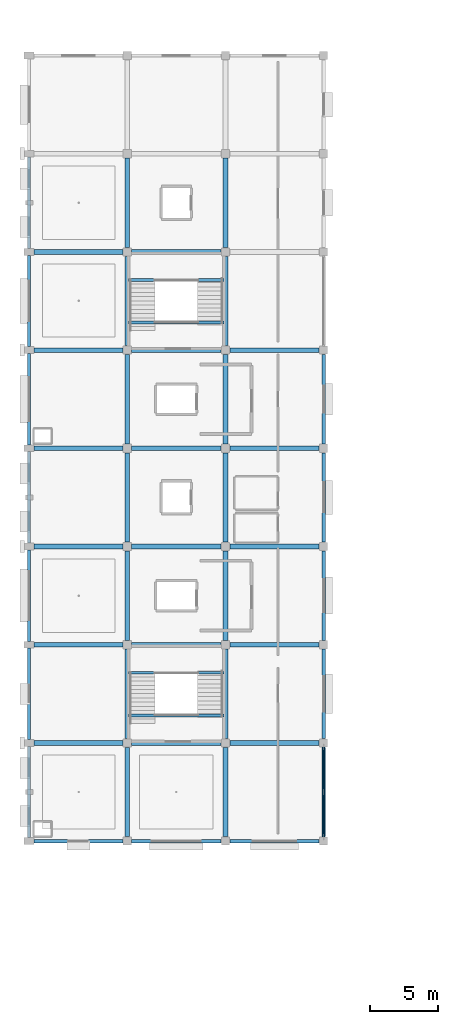
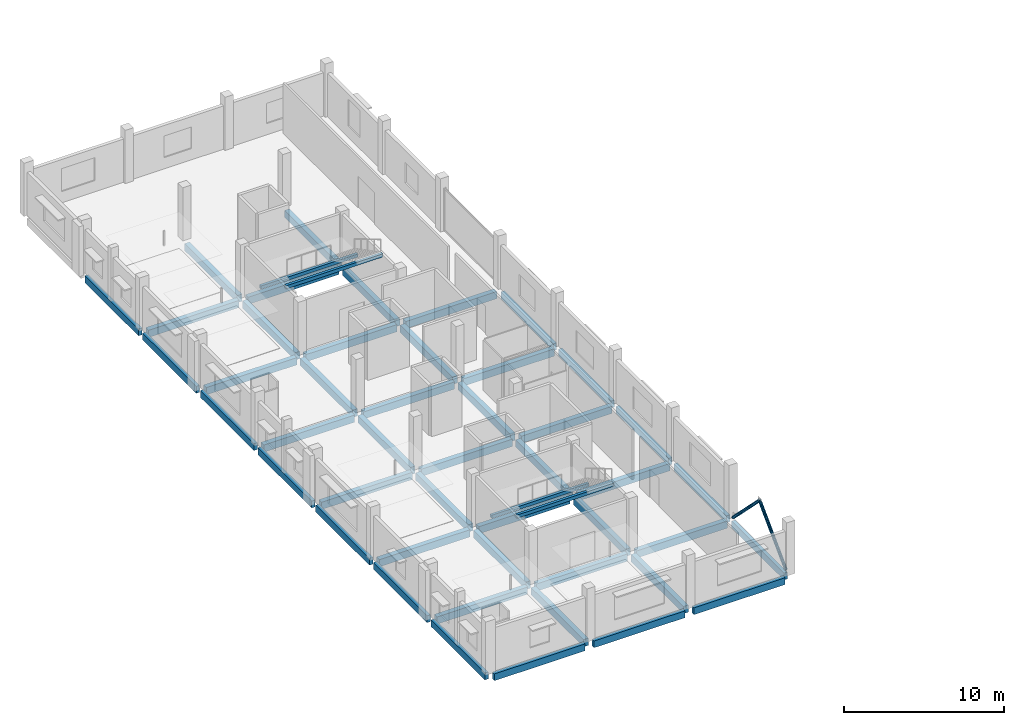
# One storey, part 3 of 26: 50 beams, 2 members.
"""IFC4 building model written with IfcOpenShell, lengths in metres."""

from ifc_helpers import new_model, si_unit, direction, frame, origin, origin_2d, place, context, subcontext, project, spatial, rectangle, hollow_circle, extrude, material, material_profile, profile_set, type_object, element, save


model = new_model("IFC4")

# Units and contexts
model_context = context("Model", 3, precision=1e-05, world=origin(), true_north=direction((0.0, 1.0)))
body_context = subcontext(model_context, "Body", "Model", "MODEL_VIEW")
ifc_project = project(units=[si_unit("LENGTHUNIT", "METRE"), si_unit("AREAUNIT", "SQUARE_METRE"), si_unit("VOLUMEUNIT", "CUBIC_METRE"), si_unit("PLANEANGLEUNIT", "RADIAN"), si_unit("MASSUNIT", "GRAM", prefix="KILO")], contexts=[model_context])

# Site, building, storey
site_placement = place(None, origin())
site = spatial("IfcSite", under=ifc_project, at=site_placement, CompositionType="ELEMENT")
building_placement = place(site_placement, origin())
building = spatial("IfcBuilding", under=site, at=building_placement, Name="Kangsadwip Square Police Headquarters", CompositionType="ELEMENT")
storey_placement = place(building_placement, frame((0.0, 0.0, 25.64990234375)))
storey = spatial("IfcBuildingStorey", under=building, at=storey_placement, Name="L06", CompositionType="ELEMENT", Elevation=25.64990234375)

# Beams
ifc_material_1 = material(Name="Concrete M35 (35 MPa)", Category="concrete")
ifc_material_profile_1 = material_profile(ifc_material_1, rectangle(XDim=0.35009765625, YDim=0.550048828125, at=origin_2d()), Name="RC BM 550X350")
ifc_profile_set_1 = profile_set([ifc_material_profile_1], Name="Concrete M35 (35 MPa)")
beam_type_1 = type_object("IfcBeamType", Name="RcBeam550x350", PredefinedType="BEAM", material=ifc_profile_set_1)
beam_1_placement = place(storey_placement, frame((0.35009765625, 43.199951171875, -0.494873046875), z_axis=(1.0, 0.0, 0.0), x_axis=(0.0, 1.0, 0.0)))
element("IfcBeam", 1, at=beam_1_placement, inside=storey, type_object=beam_type_1, Name="Beam BM-L06-X-00-06", PredefinedType="BEAM", context=body_context, shape_type="SweptSolid", body=[
    extrude(rectangle(XDim=0.35009765625, YDim=0.550048828125, at=origin_2d()), origin(), (0.0, 0.0, 1.0), 6.52490234375),
])
beam_2_placement = place(storey_placement, frame((7.52490234375, 43.199951171875, -0.494873046875), z_axis=(1.0, 0.0, 0.0), x_axis=(0.0, 1.0, 0.0)))
element("IfcBeam", 2, at=beam_2_placement, inside=storey, type_object=beam_type_1, Name="Beam BM-L06-X-01-06", PredefinedType="BEAM", context=body_context, shape_type="SweptSolid", body=[
    extrude(rectangle(XDim=0.35009765625, YDim=0.550048828125, at=origin_2d()), origin(), (0.0, 0.0, 1.0), 6.550048828125),
])
beam_3_placement = place(storey_placement, frame((14.72509765625, 43.199951171875, -0.494873046875), z_axis=(1.0, 0.0, 0.0), x_axis=(0.0, 1.0, 0.0)))
element("IfcBeam", 3, at=beam_3_placement, inside=storey, type_object=beam_type_1, Name="Beam BM-L06-X-02-06", PredefinedType="BEAM", context=body_context, shape_type="SweptSolid", body=[
    extrude(rectangle(XDim=0.35009765625, YDim=0.550048828125, at=origin_2d()), origin(), (0.0, 0.0, 1.0), 6.5498046875),
])
beam_4_placement = place(storey_placement, frame((0.35009765625, 50.39990234375, -0.494873046875), z_axis=(1.0, 0.0, 0.0), x_axis=(0.0, 1.0, 0.0)))
element("IfcBeam", 4, at=beam_4_placement, inside=storey, type_object=beam_type_1, Name="Beam BM-L06-X-00-07", PredefinedType="BEAM", context=body_context, shape_type="SweptSolid", body=[
    extrude(rectangle(XDim=0.35009765625, YDim=0.550048828125, at=origin_2d()), origin(), (0.0, 0.0, 1.0), 6.52490234375),
])
beam_5_placement = place(storey_placement, frame((7.52490234375, 50.39990234375, -0.494873046875), z_axis=(1.0, 0.0, 0.0), x_axis=(0.0, 1.0, 0.0)))
element("IfcBeam", 5, at=beam_5_placement, inside=storey, type_object=beam_type_1, Name="Beam BM-L06-X-01-07", PredefinedType="BEAM", context=body_context, shape_type="SweptSolid", body=[
    extrude(rectangle(XDim=0.35009765625, YDim=0.550048828125, at=origin_2d()), origin(), (0.0, 0.0, 1.0), 6.550048828125),
])
beam_6_placement = place(storey_placement, frame((14.72509765625, 50.39990234375, -0.494873046875), z_axis=(1.0, 0.0, 0.0), x_axis=(0.0, 1.0, 0.0)))
element("IfcBeam", 6, at=beam_6_placement, inside=storey, type_object=beam_type_1, Name="Beam BM-L06-X-02-07", PredefinedType="BEAM", context=body_context, shape_type="SweptSolid", body=[
    extrude(rectangle(XDim=0.35009765625, YDim=0.550048828125, at=origin_2d()), origin(), (0.0, 0.0, 1.0), 6.5498046875),
])
beam_7_placement = place(storey_placement, frame((0.35009765625, 57.60009765625, -0.494873046875), z_axis=(1.0, 0.0, 0.0), x_axis=(0.0, 1.0, 0.0)))
element("IfcBeam", 7, at=beam_7_placement, inside=storey, type_object=beam_type_1, Name="Beam BM-L06-X-00-08", PredefinedType="BEAM", context=body_context, shape_type="SweptSolid", body=[
    extrude(rectangle(XDim=0.35009765625, YDim=0.550048828125, at=origin_2d()), origin(), (0.0, 0.0, 1.0), 6.52490234375),
])
beam_8_placement = place(storey_placement, frame((7.52490234375, 57.60009765625, -0.494873046875), z_axis=(1.0, 0.0, 0.0), x_axis=(0.0, 1.0, 0.0)))
element("IfcBeam", 8, at=beam_8_placement, inside=storey, type_object=beam_type_1, Name="Beam BM-L06-X-01-08", PredefinedType="BEAM", context=body_context, shape_type="SweptSolid", body=[
    extrude(rectangle(XDim=0.35009765625, YDim=0.550048828125, at=origin_2d()), origin(), (0.0, 0.0, 1.0), 6.550048828125),
])
beam_9_placement = place(storey_placement, frame((14.72509765625, 57.60009765625, -0.494873046875), z_axis=(1.0, 0.0, 0.0), x_axis=(0.0, 1.0, 0.0)))
element("IfcBeam", 9, at=beam_9_placement, inside=storey, type_object=beam_type_1, Name="Beam BM-L06-X-02-08", PredefinedType="BEAM", context=body_context, shape_type="SweptSolid", body=[
    extrude(rectangle(XDim=0.35009765625, YDim=0.550048828125, at=origin_2d()), origin(), (0.0, 0.0, 1.0), 6.5498046875),
])
beam_10_placement = place(storey_placement, frame((0.35009765625, 64.800048828125, -0.494873046875), z_axis=(1.0, 0.0, 0.0), x_axis=(0.0, 1.0, 0.0)))
element("IfcBeam", 10, at=beam_10_placement, inside=storey, type_object=beam_type_1, Name="Beam BM-L06-X-00-09", PredefinedType="BEAM", context=body_context, shape_type="SweptSolid", body=[
    extrude(rectangle(XDim=0.35009765625, YDim=0.550048828125, at=origin_2d()), origin(), (0.0, 0.0, 1.0), 6.52490234375),
])
beam_11_placement = place(storey_placement, frame((7.52490234375, 64.800048828125, -0.494873046875), z_axis=(1.0, 0.0, 0.0), x_axis=(0.0, 1.0, 0.0)))
element("IfcBeam", 11, at=beam_11_placement, inside=storey, type_object=beam_type_1, Name="Beam BM-L06-X-01-09", PredefinedType="BEAM", context=body_context, shape_type="SweptSolid", body=[
    extrude(rectangle(XDim=0.35009765625, YDim=0.550048828125, at=origin_2d()), origin(), (0.0, 0.0, 1.0), 6.550048828125),
])
beam_12_placement = place(storey_placement, frame((14.72509765625, 64.800048828125, -0.494873046875), z_axis=(1.0, 0.0, 0.0), x_axis=(0.0, 1.0, 0.0)))
element("IfcBeam", 12, at=beam_12_placement, inside=storey, type_object=beam_type_1, Name="Beam BM-L06-X-02-09", PredefinedType="BEAM", context=body_context, shape_type="SweptSolid", body=[
    extrude(rectangle(XDim=0.35009765625, YDim=0.550048828125, at=origin_2d()), origin(), (0.0, 0.0, 1.0), 6.5498046875),
])
beam_13_placement = place(storey_placement, frame((0.35009765625, 72.0, -0.494873046875), z_axis=(1.0, 0.0, 0.0), x_axis=(0.0, 1.0, 0.0)))
element("IfcBeam", 13, at=beam_13_placement, inside=storey, type_object=beam_type_1, Name="Beam BM-L06-X-00-10", PredefinedType="BEAM", context=body_context, shape_type="SweptSolid", body=[
    extrude(rectangle(XDim=0.35009765625, YDim=0.550048828125, at=origin_2d()), origin(), (0.0, 0.0, 1.0), 6.52490234375),
])
beam_14_placement = place(storey_placement, frame((7.52490234375, 72.0, -0.494873046875), z_axis=(1.0, 0.0, 0.0), x_axis=(0.0, 1.0, 0.0)))
element("IfcBeam", 14, at=beam_14_placement, inside=storey, type_object=beam_type_1, Name="Beam BM-L06-X-01-10", PredefinedType="BEAM", context=body_context, shape_type="SweptSolid", body=[
    extrude(rectangle(XDim=0.35009765625, YDim=0.550048828125, at=origin_2d()), origin(), (0.0, 0.0, 1.0), 6.550048828125),
])
beam_15_placement = place(storey_placement, frame((14.72509765625, 72.0, -0.494873046875), z_axis=(1.0, 0.0, 0.0), x_axis=(0.0, 1.0, 0.0)))
element("IfcBeam", 15, at=beam_15_placement, inside=storey, type_object=beam_type_1, Name="Beam BM-L06-X-02-10", PredefinedType="BEAM", context=body_context, shape_type="SweptSolid", body=[
    extrude(rectangle(XDim=0.35009765625, YDim=0.550048828125, at=origin_2d()), origin(), (0.0, 0.0, 1.0), 6.5498046875),
])
beam_16_placement = place(storey_placement, frame((0.35009765625, 79.199951171875, -0.494873046875), z_axis=(1.0, 0.0, 0.0), x_axis=(0.0, 1.0, 0.0)))
element("IfcBeam", 16, at=beam_16_placement, inside=storey, type_object=beam_type_1, Name="Beam BM-L06-X-00-11", PredefinedType="BEAM", context=body_context, shape_type="SweptSolid", body=[
    extrude(rectangle(XDim=0.35009765625, YDim=0.550048828125, at=origin_2d()), origin(), (0.0, 0.0, 1.0), 6.52490234375),
])
for number, where, z_axis, x_axis, name in (
    (17, (7.52490234375, 79.199951171875, -0.494873046875), (1.0, 0.0, 0.0), (0.0, 1.0, 0.0), "Beam BM-L06-X-01-11"),
    (18, (7.199951171875, 36.324951171875, -0.494873046875), (0.0, 1.0, 0.0), (-1.0, 0.0, 0.0), "Beam BM-L06-Y-01-05"),
    (19, (7.199951171875, 43.52490234375, -0.494873046875), (0.0, 1.0, 0.0), (-1.0, 0.0, 0.0), "Beam BM-L06-Y-01-06"),
):
    element("IfcBeam", number, at=place(storey_placement, frame(where, z_axis=z_axis, x_axis=x_axis)), inside=storey, type_object=beam_type_1, Name=name, PredefinedType="BEAM", context=body_context, shape_type="SweptSolid", body=[
        extrude(rectangle(XDim=0.35009765625, YDim=0.550048828125, at=origin_2d()), origin(), (0.0, 0.0, 1.0), 6.550048828125),
    ])
beam_17_placement = place(storey_placement, frame((7.199951171875, 50.72509765625, -0.494873046875), z_axis=(0.0, 1.0, 0.0), x_axis=(-1.0, 0.0, 0.0)))
element("IfcBeam", 20, at=beam_17_placement, inside=storey, type_object=beam_type_1, Name="Beam BM-L06-Y-01-07", PredefinedType="BEAM", context=body_context, shape_type="SweptSolid", body=[
    extrude(rectangle(XDim=0.35009765625, YDim=0.550048828125, at=origin_2d()), origin(), (0.0, 0.0, 1.0), 6.5498046875),
])
for number, where, z_axis, x_axis, name in (
    (21, (7.199951171875, 57.925048828125, -0.494873046875), (0.0, 1.0, 0.0), (-1.0, 0.0, 0.0), "Beam BM-L06-Y-01-08"),
    (22, (7.199951171875, 65.125, -0.494873046875), (0.0, 1.0, 0.0), (-1.0, 0.0, 0.0), "Beam BM-L06-Y-01-09"),
    (23, (7.199951171875, 72.324951171875, -0.494873046875), (0.0, 1.0, 0.0), (-1.0, 0.0, 0.0), "Beam BM-L06-Y-01-10"),
    (24, (7.199951171875, 79.52490234375, -0.494873046875), (0.0, 1.0, 0.0), (-1.0, 0.0, 0.0), "Beam BM-L06-Y-01-11"),
    (25, (14.39990234375, 36.324951171875, -0.494873046875), (0.0, 1.0, 0.0), (-1.0, 0.0, 0.0), "Beam BM-L06-Y-02-05"),
    (26, (14.39990234375, 43.52490234375, -0.494873046875), (0.0, 1.0, 0.0), (-1.0, 0.0, 0.0), "Beam BM-L06-Y-02-06"),
):
    element("IfcBeam", number, at=place(storey_placement, frame(where, z_axis=z_axis, x_axis=x_axis)), inside=storey, type_object=beam_type_1, Name=name, PredefinedType="BEAM", context=body_context, shape_type="SweptSolid", body=[
        extrude(rectangle(XDim=0.35009765625, YDim=0.550048828125, at=origin_2d()), origin(), (0.0, 0.0, 1.0), 6.550048828125),
    ])
beam_18_placement = place(storey_placement, frame((14.39990234375, 50.72509765625, -0.494873046875), z_axis=(0.0, 1.0, 0.0), x_axis=(-1.0, 0.0, 0.0)))
element("IfcBeam", 27, at=beam_18_placement, inside=storey, type_object=beam_type_1, Name="Beam BM-L06-Y-02-07", PredefinedType="BEAM", context=body_context, shape_type="SweptSolid", body=[
    extrude(rectangle(XDim=0.35009765625, YDim=0.550048828125, at=origin_2d()), origin(), (0.0, 0.0, 1.0), 6.5498046875),
])
for number, where, z_axis, x_axis, name in (
    (28, (14.39990234375, 57.925048828125, -0.494873046875), (0.0, 1.0, 0.0), (-1.0, 0.0, 0.0), "Beam BM-L06-Y-02-08"),
    (29, (14.39990234375, 65.125, -0.494873046875), (0.0, 1.0, 0.0), (-1.0, 0.0, 0.0), "Beam BM-L06-Y-02-09"),
    (30, (14.39990234375, 72.324951171875, -0.494873046875), (0.0, 1.0, 0.0), (-1.0, 0.0, 0.0), "Beam BM-L06-Y-02-10"),
    (31, (14.39990234375, 79.52490234375, -0.494873046875), (0.0, 1.0, 0.0), (-1.0, 0.0, 0.0), "Beam BM-L06-Y-02-11"),
):
    element("IfcBeam", number, at=place(storey_placement, frame(where, z_axis=z_axis, x_axis=x_axis)), inside=storey, type_object=beam_type_1, Name=name, PredefinedType="BEAM", context=body_context, shape_type="SweptSolid", body=[
        extrude(rectangle(XDim=0.35009765625, YDim=0.550048828125, at=origin_2d()), origin(), (0.0, 0.0, 1.0), 6.550048828125),
    ])
ifc_material_2 = material(Name="Concrete M30 (30 MPa)", Category="concrete")
ifc_material_profile_2 = material_profile(ifc_material_2, rectangle(XDim=0.199951171875, YDim=0.25, at=origin_2d()), Name="RC LNT 250X200")
ifc_profile_set_2 = profile_set([ifc_material_profile_2], Name="Concrete M30 (30 MPa)")
beam_type_2 = type_object("IfcBeamType", Name="RcLintel250x200", PredefinedType="LINTEL", material=ifc_profile_set_2)
for number, where, z_axis, x_axis, name in (
    (32, (7.300048828125, 48.340087890625, 1.801025390625), (1.0, 0.0, 0.0), (0.0, 1.0, 0.0), "Stair Carriage and Landing Beam BM-ST-L06-016"),
    (33, (7.300048828125, 45.219970703125, 3.705078125), (1.0, 0.0, 0.0), (0.0, 1.0, 0.0), "Stair Carriage and Landing Beam BM-ST-L06-017"),
    (34, (7.300048828125, 77.139892578125, 1.801025390625), (1.0, 0.0, 0.0), (0.0, 1.0, 0.0), "Stair Carriage and Landing Beam BM-ST-L06-035"),
    (35, (7.300048828125, 74.02001953125, 3.705078125), (1.0, 0.0, 0.0), (0.0, 1.0, 0.0), "Stair Carriage and Landing Beam BM-ST-L06-036"),
):
    element("IfcBeam", number, at=place(storey_placement, frame(where, z_axis=z_axis, x_axis=x_axis)), inside=storey, type_object=beam_type_2, Name=name, PredefinedType="BEAM", context=body_context, shape_type="SweptSolid", body=[
        extrude(rectangle(XDim=0.199951171875, YDim=0.25, at=origin_2d()), origin(), (0.0, 0.0, 1.0), 7.0),
    ])
ifc_material_3 = material(Name="Concrete M35 (35 MPa)", Category="concrete")
ifc_material_profile_3 = material_profile(ifc_material_3, rectangle(XDim=0.25, YDim=0.52001953125, at=origin_2d()), Name="RC SPN 520X250")
ifc_profile_set_3 = profile_set([ifc_material_profile_3], Name="Concrete M35 (35 MPa)")
beam_type_3 = type_object("IfcBeamType", Name="RcSpandrel520x250", PredefinedType="SPANDREL", material=ifc_profile_set_3)
beam_19_placement = place(storey_placement, frame((0.35009765625, 36.0, -0.47998046875), z_axis=(1.0, 0.0, 0.0), x_axis=(0.0, 1.0, 0.0)))
element("IfcBeam", 36, at=beam_19_placement, inside=storey, type_object=beam_type_3, Name="Beam BM-L06-X-00-05", PredefinedType="SPANDREL", context=body_context, shape_type="SweptSolid", body=[
    extrude(rectangle(XDim=0.25, YDim=0.52001953125, at=origin_2d()), origin(), (0.0, 0.0, 1.0), 6.52490234375),
])
beam_20_placement = place(storey_placement, frame((7.52490234375, 36.0, -0.47998046875), z_axis=(1.0, 0.0, 0.0), x_axis=(0.0, 1.0, 0.0)))
element("IfcBeam", 37, at=beam_20_placement, inside=storey, type_object=beam_type_3, Name="Beam BM-L06-X-01-05", PredefinedType="SPANDREL", context=body_context, shape_type="SweptSolid", body=[
    extrude(rectangle(XDim=0.25, YDim=0.52001953125, at=origin_2d()), origin(), (0.0, 0.0, 1.0), 6.550048828125),
])
beam_21_placement = place(storey_placement, frame((14.72509765625, 36.0, -0.47998046875), z_axis=(1.0, 0.0, 0.0), x_axis=(0.0, 1.0, 0.0)))
element("IfcBeam", 38, at=beam_21_placement, inside=storey, type_object=beam_type_3, Name="Beam BM-L06-X-02-05", PredefinedType="SPANDREL", context=body_context, shape_type="SweptSolid", body=[
    extrude(rectangle(XDim=0.25, YDim=0.52001953125, at=origin_2d()), origin(), (0.0, 0.0, 1.0), 6.5498046875),
])
for number, where, z_axis, x_axis, name in (
    (39, (0.0, 36.25, -0.47998046875), (0.0, 1.0, 0.0), (-1.0, 0.0, 0.0), "Beam BM-L06-Y-00-05"),
    (40, (0.0, 43.449951171875, -0.47998046875), (0.0, 1.0, 0.0), (-1.0, 0.0, 0.0), "Beam BM-L06-Y-00-06"),
):
    element("IfcBeam", number, at=place(storey_placement, frame(where, z_axis=z_axis, x_axis=x_axis)), inside=storey, type_object=beam_type_3, Name=name, PredefinedType="SPANDREL", context=body_context, shape_type="SweptSolid", body=[
        extrude(rectangle(XDim=0.25, YDim=0.52001953125, at=origin_2d()), origin(), (0.0, 0.0, 1.0), 6.699951171875),
    ])
beam_22_placement = place(storey_placement, frame((0.0, 50.64990234375, -0.47998046875), z_axis=(0.0, 1.0, 0.0), x_axis=(-1.0, 0.0, 0.0)))
element("IfcBeam", 41, at=beam_22_placement, inside=storey, type_object=beam_type_3, Name="Beam BM-L06-Y-00-07", PredefinedType="SPANDREL", context=body_context, shape_type="SweptSolid", body=[
    extrude(rectangle(XDim=0.25, YDim=0.52001953125, at=origin_2d()), origin(), (0.0, 0.0, 1.0), 6.7001953125),
])
for number, where, z_axis, x_axis, name in (
    (42, (0.0, 57.85009765625, -0.47998046875), (0.0, 1.0, 0.0), (-1.0, 0.0, 0.0), "Beam BM-L06-Y-00-08"),
    (43, (0.0, 65.050048828125, -0.47998046875), (0.0, 1.0, 0.0), (-1.0, 0.0, 0.0), "Beam BM-L06-Y-00-09"),
    (44, (0.0, 72.25, -0.47998046875), (0.0, 1.0, 0.0), (-1.0, 0.0, 0.0), "Beam BM-L06-Y-00-10"),
    (45, (0.0, 79.449951171875, -0.47998046875), (0.0, 1.0, 0.0), (-1.0, 0.0, 0.0), "Beam BM-L06-Y-00-11"),
):
    element("IfcBeam", number, at=place(storey_placement, frame(where, z_axis=z_axis, x_axis=x_axis)), inside=storey, type_object=beam_type_3, Name=name, PredefinedType="SPANDREL", context=body_context, shape_type="SweptSolid", body=[
        extrude(rectangle(XDim=0.25, YDim=0.52001953125, at=origin_2d()), origin(), (0.0, 0.0, 1.0), 6.699951171875),
    ])
for number, where, z_axis, x_axis, name in (
    (46, (21.60009765625, 36.324951171875, -0.47998046875), (0.0, 1.0, 0.0), (-1.0, 0.0, 0.0), "Beam BM-L06-Y-03-05"),
    (47, (21.60009765625, 43.52490234375, -0.47998046875), (0.0, 1.0, 0.0), (-1.0, 0.0, 0.0), "Beam BM-L06-Y-03-06"),
):
    element("IfcBeam", number, at=place(storey_placement, frame(where, z_axis=z_axis, x_axis=x_axis)), inside=storey, type_object=beam_type_3, Name=name, PredefinedType="SPANDREL", context=body_context, shape_type="SweptSolid", body=[
        extrude(rectangle(XDim=0.25, YDim=0.52001953125, at=origin_2d()), origin(), (0.0, 0.0, 1.0), 6.550048828125),
    ])
beam_23_placement = place(storey_placement, frame((21.60009765625, 50.72509765625, -0.47998046875), z_axis=(0.0, 1.0, 0.0), x_axis=(-1.0, 0.0, 0.0)))
element("IfcBeam", 48, at=beam_23_placement, inside=storey, type_object=beam_type_3, Name="Beam BM-L06-Y-03-07", PredefinedType="SPANDREL", context=body_context, shape_type="SweptSolid", body=[
    extrude(rectangle(XDim=0.25, YDim=0.52001953125, at=origin_2d()), origin(), (0.0, 0.0, 1.0), 6.5498046875),
])
for number, where, z_axis, x_axis, name in (
    (49, (21.60009765625, 57.925048828125, -0.47998046875), (0.0, 1.0, 0.0), (-1.0, 0.0, 0.0), "Beam BM-L06-Y-03-08"),
    (50, (21.60009765625, 65.125, -0.47998046875), (0.0, 1.0, 0.0), (-1.0, 0.0, 0.0), "Beam BM-L06-Y-03-09"),
):
    element("IfcBeam", number, at=place(storey_placement, frame(where, z_axis=z_axis, x_axis=x_axis)), inside=storey, type_object=beam_type_3, Name=name, PredefinedType="SPANDREL", context=body_context, shape_type="SweptSolid", body=[
        extrude(rectangle(XDim=0.25, YDim=0.52001953125, at=origin_2d()), origin(), (0.0, 0.0, 1.0), 6.550048828125),
    ])

# Members
ifc_material_4 = material(Name="Structural steel IS 2062 E350 (Grade 350, 350 MPa)", Category="steel")
ifc_material_profile_4 = material_profile(ifc_material_4, hollow_circle(Radius=0.109619140625, WallThickness=0.010009765625, at=origin_2d()), Name="CHS 219X10")
ifc_profile_set_4 = profile_set([ifc_material_profile_4], Name="Structural steel IS 2062 E350 (Grade 350, 350 MPa)")
member_type = type_object("IfcMemberType", Name="TrussBraceChs219", PredefinedType="BRACE", material=ifc_profile_set_4)
member_1_placement = place(storey_placement, frame((21.60009765625, 36.300048828125, 0.0), z_axis=(0.0, 0.706035191316, 0.708176749564), x_axis=(-1.0, 0.0, 0.0)))
element("IfcMember", 51, at=member_1_placement, inside=storey, type_object=member_type, Name="Truss Member MEM-L06-0282", PredefinedType="BRACE", context=body_context, shape_type="SweptSolid", body=[
    extrude(hollow_circle(Radius=0.109619140625, WallThickness=0.010009765625, at=origin_2d()), origin(), (0.0, 0.0, 1.0), 4.674072265625),
])
member_2_placement = place(storey_placement, frame((21.60009765625, 42.89990234375, 0.0), z_axis=(0.0, -0.706008994206, 0.708202866487), x_axis=(1.0, 0.0, 0.0)))
element("IfcMember", 52, at=member_2_placement, inside=storey, type_object=member_type, Name="Truss Member MEM-L06-0283", PredefinedType="BRACE", context=body_context, shape_type="SweptSolid", body=[
    extrude(hollow_circle(Radius=0.109619140625, WallThickness=0.010009765625, at=origin_2d()), origin(), (0.0, 0.0, 1.0), 4.673828125),
])

save(model, "model.ifc")
